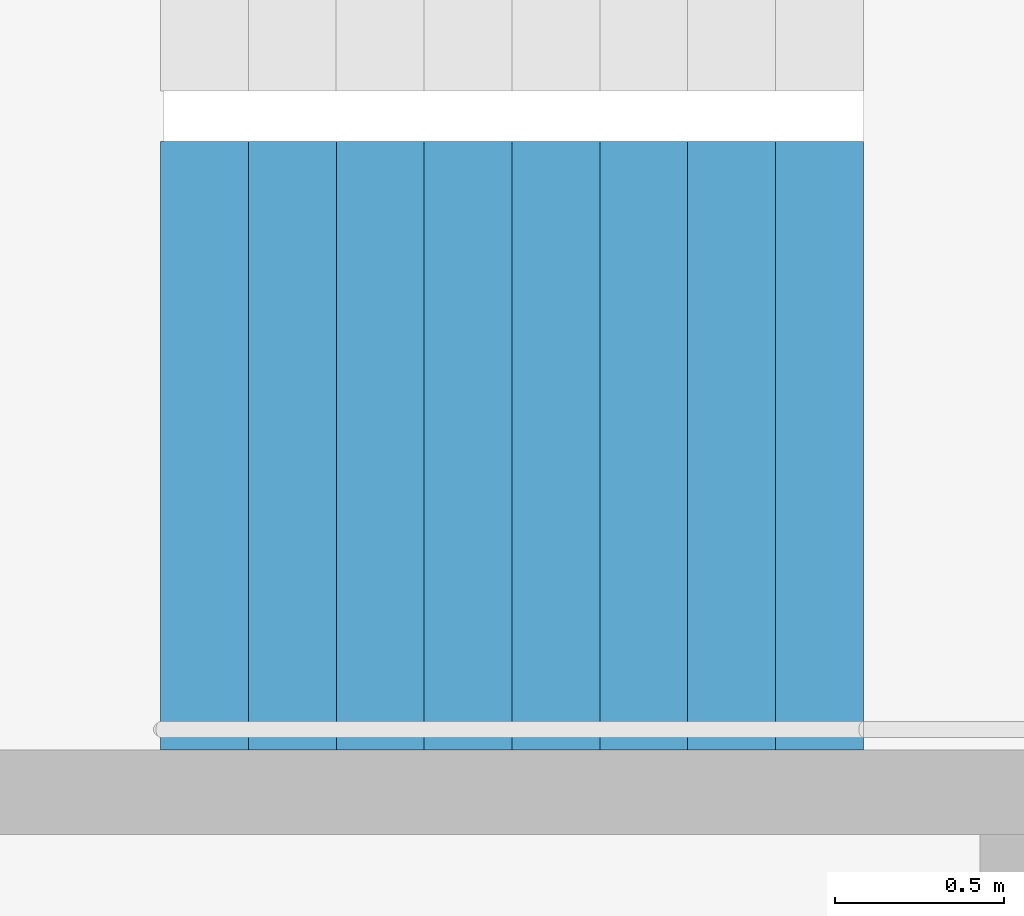
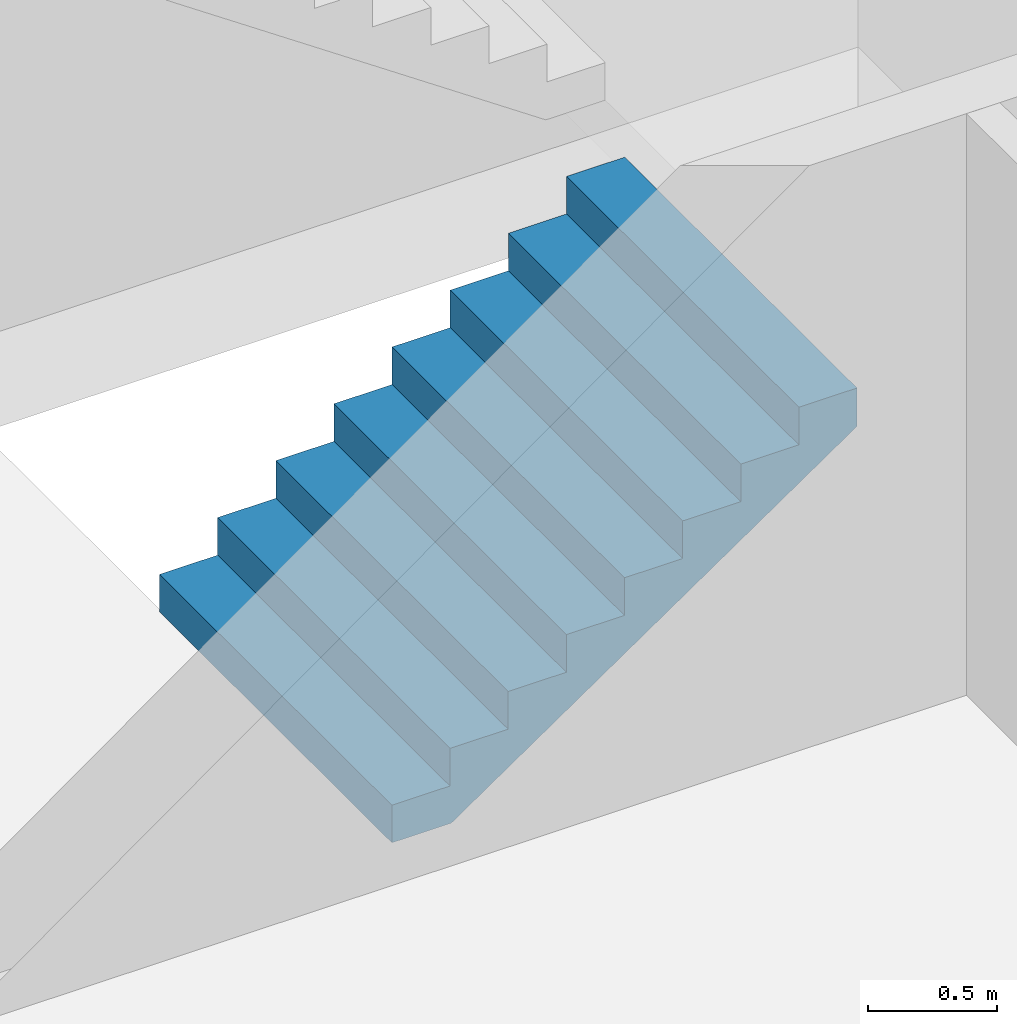
# One storey, part 21 of 27: 1 stair flight, 1 element without a shape of its own.
"""IFC4 building model written with IfcOpenShell, lengths in metres."""

from ifc_helpers import new_model, si_unit, direction, frame, origin, place, context, subcontext, project, spatial, triangles, material, type_object, element, aggregate, save


model = new_model("IFC4")

# Units and contexts
model_context = context("Model", 3, precision=1e-05, world=origin(), true_north=direction((0.0, 1.0)))
body_context = subcontext(model_context, "Body", "Model", "MODEL_VIEW")
ifc_project = project(units=[si_unit("LENGTHUNIT", "METRE"), si_unit("AREAUNIT", "SQUARE_METRE"), si_unit("VOLUMEUNIT", "CUBIC_METRE"), si_unit("PLANEANGLEUNIT", "RADIAN"), si_unit("MASSUNIT", "GRAM", prefix="KILO")], contexts=[model_context])

# Site, building, storey
site_placement = place(None, origin())
site = spatial("IfcSite", under=ifc_project, at=site_placement, CompositionType="ELEMENT")
building_placement = place(site_placement, origin())
building = spatial("IfcBuilding", under=site, at=building_placement, Name="Hakoniwa Tower and Hamabe Station Hall", CompositionType="ELEMENT")
storey_placement = place(building_placement, frame((0.0, 0.0, 239.0)))
storey = spatial("IfcBuildingStorey", under=building, at=storey_placement, Name="L67", CompositionType="ELEMENT", Elevation=239.0)

# Stair, stair flight
ifc_material_1 = material(Name="Concrete C40", Category="concrete")
stair_type = type_object("IfcStairType", Name="ESCAPE STAIR 1800", PredefinedType="HALF_TURN_STAIR", material=ifc_material_1)
stair_placement = place(storey_placement, origin())
stair = element("IfcStair", 1, at=stair_placement, inside=storey, type_object=stair_type, Name="Escape stair ST-1 L67", PredefinedType="HALF_TURN_STAIR")
ifc_material_2 = material(Name="Concrete C40", Category="concrete")
stair_flight_type = type_object("IfcStairFlightType", Name="STAIR FLIGHT 1800", PredefinedType="STRAIGHT", material=ifc_material_2)
stair_flight_placement = place(storey_placement, frame((-24.39990234375, 4.64990234375, 0.0), z_axis=(0.0, 0.0, 1.0), x_axis=(1.0, 0.0, 0.0)))
stair_flight = element("IfcStairFlight", 2, at=stair_flight_placement, type_object=stair_flight_type, Name="ST-1 flight 1", NumberOfRisers=9, NumberOfTreads=8, PredefinedType="STRAIGHT", RiserHeight=0.177777778, TreadLength=0.26, context=body_context, shape_type="Tessellation", body=[
    triangles([(0.0, 0.89990234375, 0.0), (0.260009765625, 0.89990234375, 0.0), (0.265625, 0.89990234375, 0.0), (0.52001953125, 0.89990234375, 0.174072265625), (0.780029296875, 0.89990234375, 0.351806640625), (1.0400390625, 0.89990234375, 0.529541015625), (1.300048828125, 0.89990234375, 0.707275390625), (1.56005859375, 0.89990234375, 0.885009765625), (1.820068359375, 0.89990234375, 1.062744140625), (2.080078125, 0.89990234375, 1.24072265625), (2.080078125, 0.89990234375, 1.422119140625), (1.820068359375, 0.89990234375, 1.422119140625), (1.820068359375, 0.89990234375, 1.244384765625), (1.56005859375, 0.89990234375, 1.244384765625), (1.56005859375, 0.89990234375, 1.066650390625), (1.300048828125, 0.89990234375, 1.066650390625), (1.300048828125, 0.89990234375, 0.888916015625), (1.0400390625, 0.89990234375, 0.888916015625), (1.0400390625, 0.89990234375, 0.711181640625), (0.780029296875, 0.89990234375, 0.711181640625), (0.780029296875, 0.89990234375, 0.533447265625), (0.52001953125, 0.89990234375, 0.533447265625), (0.52001953125, 0.89990234375, 0.35546875), (0.265625, 0.89990234375, 0.35546875), (0.260009765625, 0.89990234375, 0.35546875), (0.260009765625, 0.89990234375, 0.177734375), (0.0, 0.89990234375, 0.177734375), (0.0, 0.06005859375, 0.0), (0.260009765625, 0.06005859375, 0.0), (0.265625, 0.06005859375, 0.0), (0.52001953125, 0.06005859375, 0.174072265625), (0.780029296875, 0.06005859375, 0.351806640625), (1.0400390625, 0.06005859375, 0.529541015625), (1.300048828125, 0.06005859375, 0.707275390625), (1.56005859375, 0.06005859375, 0.885009765625), (1.820068359375, 0.06005859375, 1.062744140625), (2.080078125, 0.06005859375, 1.24072265625), (2.080078125, 0.06005859375, 1.422119140625), (1.820068359375, 0.06005859375, 1.422119140625), (1.820068359375, 0.06005859375, 1.244384765625), (1.56005859375, 0.06005859375, 1.244384765625), (1.56005859375, 0.06005859375, 1.066650390625), (1.300048828125, 0.06005859375, 1.066650390625), (1.300048828125, 0.06005859375, 0.888916015625), (1.0400390625, 0.06005859375, 0.888916015625), (1.0400390625, 0.06005859375, 0.711181640625), (0.780029296875, 0.06005859375, 0.711181640625), (0.780029296875, 0.06005859375, 0.533447265625), (0.52001953125, 0.06005859375, 0.533447265625), (0.52001953125, 0.06005859375, 0.35546875), (0.265625, 0.06005859375, 0.35546875), (0.260009765625, 0.06005859375, 0.35546875), (0.260009765625, 0.06005859375, 0.177734375), (0.0, 0.06005859375, 0.177734375), (0.0, 0.04296875, 0.0), (0.260009765625, 0.04296875, 0.0), (0.265625, 0.04296875, 0.0), (0.52001953125, 0.04296875, 0.174072265625), (0.780029296875, 0.04296875, 0.351806640625), (1.0400390625, 0.04296875, 0.529541015625), (1.300048828125, 0.04296875, 0.707275390625), (1.56005859375, 0.04296875, 0.885009765625), (1.820068359375, 0.04296875, 1.062744140625), (2.080078125, 0.04296875, 1.24072265625), (2.080078125, 0.04296875, 1.422119140625), (1.820068359375, 0.04296875, 1.422119140625), (1.820068359375, 0.04296875, 1.244384765625), (1.56005859375, 0.04296875, 1.244384765625), (1.56005859375, 0.04296875, 1.066650390625), (1.300048828125, 0.04296875, 1.066650390625), (1.300048828125, 0.04296875, 0.888916015625), (1.0400390625, 0.04296875, 0.888916015625), (1.0400390625, 0.04296875, 0.711181640625), (0.780029296875, 0.04296875, 0.711181640625), (0.780029296875, 0.04296875, 0.533447265625), (0.52001953125, 0.04296875, 0.533447265625), (0.52001953125, 0.04296875, 0.35546875), (0.265625, 0.04296875, 0.35546875), (0.260009765625, 0.04296875, 0.35546875), (0.260009765625, 0.04296875, 0.177734375), (0.0, 0.04296875, 0.177734375), (0.0, 0.025634765625, 0.0), (0.260009765625, 0.025634765625, 0.0), (0.265625, 0.025634765625, 0.0), (0.52001953125, 0.025634765625, 0.174072265625), (0.780029296875, 0.025634765625, 0.351806640625), (1.0400390625, 0.025634765625, 0.529541015625), (1.300048828125, 0.025634765625, 0.707275390625), (1.56005859375, 0.025634765625, 0.885009765625), (1.820068359375, 0.025634765625, 1.062744140625), (2.080078125, 0.025634765625, 1.24072265625), (2.080078125, 0.025634765625, 1.422119140625), (1.820068359375, 0.025634765625, 1.422119140625), (1.820068359375, 0.025634765625, 1.244384765625), (1.56005859375, 0.025634765625, 1.244384765625), (1.56005859375, 0.025634765625, 1.066650390625), (1.300048828125, 0.025634765625, 1.066650390625), (1.300048828125, 0.025634765625, 0.888916015625), (1.0400390625, 0.025634765625, 0.888916015625), (1.0400390625, 0.025634765625, 0.711181640625), (0.780029296875, 0.025634765625, 0.711181640625), (0.780029296875, 0.025634765625, 0.533447265625), (0.52001953125, 0.025634765625, 0.533447265625), (0.52001953125, 0.025634765625, 0.35546875), (0.265625, 0.025634765625, 0.35546875), (0.260009765625, 0.025634765625, 0.35546875), (0.260009765625, 0.025634765625, 0.177734375), (0.0, 0.025634765625, 0.177734375), (0.0, 0.008544921875, 0.0), (0.260009765625, 0.008544921875, 0.0), (0.265625, 0.008544921875, 0.0), (0.52001953125, 0.008544921875, 0.174072265625), (0.780029296875, 0.008544921875, 0.351806640625), (1.0400390625, 0.008544921875, 0.529541015625), (1.300048828125, 0.008544921875, 0.707275390625), (1.56005859375, 0.008544921875, 0.885009765625), (1.820068359375, 0.008544921875, 1.062744140625), (2.080078125, 0.008544921875, 1.24072265625), (2.080078125, 0.008544921875, 1.422119140625), (1.820068359375, 0.008544921875, 1.422119140625), (1.820068359375, 0.008544921875, 1.244384765625), (1.56005859375, 0.008544921875, 1.244384765625), (1.56005859375, 0.008544921875, 1.066650390625), (1.300048828125, 0.008544921875, 1.066650390625), (1.300048828125, 0.008544921875, 0.888916015625), (1.0400390625, 0.008544921875, 0.888916015625), (1.0400390625, 0.008544921875, 0.711181640625), (0.780029296875, 0.008544921875, 0.711181640625), (0.780029296875, 0.008544921875, 0.533447265625), (0.52001953125, 0.008544921875, 0.533447265625), (0.52001953125, 0.008544921875, 0.35546875), (0.265625, 0.008544921875, 0.35546875), (0.260009765625, 0.008544921875, 0.35546875), (0.260009765625, 0.008544921875, 0.177734375), (0.0, 0.008544921875, 0.177734375), (0.0, -0.008544921875, 0.0), (0.260009765625, -0.008544921875, 0.0), (0.265625, -0.008544921875, 0.0), (0.52001953125, -0.008544921875, 0.174072265625), (0.780029296875, -0.008544921875, 0.351806640625), (1.0400390625, -0.008544921875, 0.529541015625), (1.300048828125, -0.008544921875, 0.707275390625), (1.56005859375, -0.008544921875, 0.885009765625), (1.820068359375, -0.008544921875, 1.062744140625), (2.080078125, -0.008544921875, 1.24072265625), (2.080078125, -0.008544921875, 1.422119140625), (1.820068359375, -0.008544921875, 1.422119140625), (1.820068359375, -0.008544921875, 1.244384765625), (1.56005859375, -0.008544921875, 1.244384765625), (1.56005859375, -0.008544921875, 1.066650390625), (1.300048828125, -0.008544921875, 1.066650390625), (1.300048828125, -0.008544921875, 0.888916015625), (1.0400390625, -0.008544921875, 0.888916015625), (1.0400390625, -0.008544921875, 0.711181640625), (0.780029296875, -0.008544921875, 0.711181640625), (0.780029296875, -0.008544921875, 0.533447265625), (0.52001953125, -0.008544921875, 0.533447265625), (0.52001953125, -0.008544921875, 0.35546875), (0.265625, -0.008544921875, 0.35546875), (0.260009765625, -0.008544921875, 0.35546875), (0.260009765625, -0.008544921875, 0.177734375), (0.0, -0.008544921875, 0.177734375), (0.0, -0.025634765625, 0.0), (0.260009765625, -0.025634765625, 0.0), (0.265625, -0.025634765625, 0.0), (0.52001953125, -0.025634765625, 0.174072265625), (0.780029296875, -0.025634765625, 0.351806640625), (1.0400390625, -0.025634765625, 0.529541015625), (1.300048828125, -0.025634765625, 0.707275390625), (1.56005859375, -0.025634765625, 0.885009765625), (1.820068359375, -0.025634765625, 1.062744140625), (2.080078125, -0.025634765625, 1.24072265625), (2.080078125, -0.025634765625, 1.422119140625), (1.820068359375, -0.025634765625, 1.422119140625), (1.820068359375, -0.025634765625, 1.244384765625), (1.56005859375, -0.025634765625, 1.244384765625), (1.56005859375, -0.025634765625, 1.066650390625), (1.300048828125, -0.025634765625, 1.066650390625), (1.300048828125, -0.025634765625, 0.888916015625), (1.0400390625, -0.025634765625, 0.888916015625), (1.0400390625, -0.025634765625, 0.711181640625), (0.780029296875, -0.025634765625, 0.711181640625), (0.780029296875, -0.025634765625, 0.533447265625), (0.52001953125, -0.025634765625, 0.533447265625), (0.52001953125, -0.025634765625, 0.35546875), (0.265625, -0.025634765625, 0.35546875), (0.260009765625, -0.025634765625, 0.35546875), (0.260009765625, -0.025634765625, 0.177734375), (0.0, -0.025634765625, 0.177734375), (0.0, -0.04296875, 0.0), (0.260009765625, -0.04296875, 0.0), (0.265625, -0.04296875, 0.0), (0.52001953125, -0.04296875, 0.174072265625), (0.780029296875, -0.04296875, 0.351806640625), (1.0400390625, -0.04296875, 0.529541015625), (1.300048828125, -0.04296875, 0.707275390625), (1.56005859375, -0.04296875, 0.885009765625), (1.820068359375, -0.04296875, 1.062744140625), (2.080078125, -0.04296875, 1.24072265625), (2.080078125, -0.04296875, 1.422119140625), (1.820068359375, -0.04296875, 1.422119140625), (1.820068359375, -0.04296875, 1.244384765625), (1.56005859375, -0.04296875, 1.244384765625), (1.56005859375, -0.04296875, 1.066650390625), (1.300048828125, -0.04296875, 1.066650390625), (1.300048828125, -0.04296875, 0.888916015625), (1.0400390625, -0.04296875, 0.888916015625), (1.0400390625, -0.04296875, 0.711181640625), (0.780029296875, -0.04296875, 0.711181640625), (0.780029296875, -0.04296875, 0.533447265625), (0.52001953125, -0.04296875, 0.533447265625), (0.52001953125, -0.04296875, 0.35546875), (0.265625, -0.04296875, 0.35546875), (0.260009765625, -0.04296875, 0.35546875), (0.260009765625, -0.04296875, 0.177734375), (0.0, -0.04296875, 0.177734375), (0.0, -0.06005859375, 0.0), (0.260009765625, -0.06005859375, 0.0), (0.265625, -0.06005859375, 0.0), (0.52001953125, -0.06005859375, 0.174072265625), (0.780029296875, -0.06005859375, 0.351806640625), (1.0400390625, -0.06005859375, 0.529541015625), (1.300048828125, -0.06005859375, 0.707275390625), (1.56005859375, -0.06005859375, 0.885009765625), (1.820068359375, -0.06005859375, 1.062744140625), (2.080078125, -0.06005859375, 1.24072265625), (2.080078125, -0.06005859375, 1.422119140625), (1.820068359375, -0.06005859375, 1.422119140625), (1.820068359375, -0.06005859375, 1.244384765625), (1.56005859375, -0.06005859375, 1.244384765625), (1.56005859375, -0.06005859375, 1.066650390625), (1.300048828125, -0.06005859375, 1.066650390625), (1.300048828125, -0.06005859375, 0.888916015625), (1.0400390625, -0.06005859375, 0.888916015625), (1.0400390625, -0.06005859375, 0.711181640625), (0.780029296875, -0.06005859375, 0.711181640625), (0.780029296875, -0.06005859375, 0.533447265625), (0.52001953125, -0.06005859375, 0.533447265625), (0.52001953125, -0.06005859375, 0.35546875), (0.265625, -0.06005859375, 0.35546875), (0.260009765625, -0.06005859375, 0.35546875), (0.260009765625, -0.06005859375, 0.177734375), (0.0, -0.06005859375, 0.177734375), (0.0, -0.89990234375, 0.0), (0.260009765625, -0.89990234375, 0.0), (0.265625, -0.89990234375, 0.0), (0.52001953125, -0.89990234375, 0.174072265625), (0.780029296875, -0.89990234375, 0.351806640625), (1.0400390625, -0.89990234375, 0.529541015625), (1.300048828125, -0.89990234375, 0.707275390625), (1.56005859375, -0.89990234375, 0.885009765625), (1.820068359375, -0.89990234375, 1.062744140625), (2.080078125, -0.89990234375, 1.24072265625), (2.080078125, -0.89990234375, 1.422119140625), (1.820068359375, -0.89990234375, 1.422119140625), (1.820068359375, -0.89990234375, 1.244384765625), (1.56005859375, -0.89990234375, 1.244384765625), (1.56005859375, -0.89990234375, 1.066650390625), (1.300048828125, -0.89990234375, 1.066650390625), (1.300048828125, -0.89990234375, 0.888916015625), (1.0400390625, -0.89990234375, 0.888916015625), (1.0400390625, -0.89990234375, 0.711181640625), (0.780029296875, -0.89990234375, 0.711181640625), (0.780029296875, -0.89990234375, 0.533447265625), (0.52001953125, -0.89990234375, 0.533447265625), (0.52001953125, -0.89990234375, 0.35546875), (0.265625, -0.89990234375, 0.35546875), (0.260009765625, -0.89990234375, 0.35546875), (0.260009765625, -0.89990234375, 0.177734375), (0.0, -0.89990234375, 0.177734375)], [[2, 27, 26], [245, 269, 270], [2, 1, 27], [245, 270, 244], [3, 25, 24], [246, 267, 268], [3, 26, 25], [246, 268, 269], [3, 2, 26], [246, 269, 245], [4, 24, 23], [247, 266, 267], [4, 3, 24], [247, 267, 246], [5, 22, 21], [248, 264, 265], [5, 23, 22], [248, 265, 266], [5, 4, 23], [248, 266, 247], [6, 20, 19], [249, 262, 263], [6, 21, 20], [249, 263, 264], [6, 5, 21], [249, 264, 248], [7, 18, 17], [250, 260, 261], [7, 19, 18], [250, 261, 262], [7, 6, 19], [250, 262, 249], [8, 16, 15], [251, 258, 259], [8, 17, 16], [251, 259, 260], [8, 7, 17], [251, 260, 250], [9, 14, 13], [252, 256, 257], [9, 15, 14], [252, 257, 258], [9, 8, 15], [252, 258, 251], [10, 12, 11], [253, 254, 255], [10, 13, 12], [253, 255, 256], [10, 9, 13], [253, 256, 252], [1, 2, 29], [1, 29, 28], [28, 29, 56], [28, 56, 55], [55, 56, 83], [55, 83, 82], [82, 83, 110], [82, 110, 109], [109, 110, 137], [109, 137, 136], [136, 137, 164], [136, 164, 163], [163, 164, 191], [163, 191, 190], [190, 191, 218], [190, 218, 217], [217, 218, 245], [217, 245, 244], [2, 3, 30], [2, 30, 29], [29, 30, 57], [29, 57, 56], [56, 57, 84], [56, 84, 83], [83, 84, 111], [83, 111, 110], [110, 111, 138], [110, 138, 137], [137, 138, 165], [137, 165, 164], [164, 165, 192], [164, 192, 191], [191, 192, 219], [191, 219, 218], [218, 219, 246], [218, 246, 245], [3, 4, 31], [3, 31, 30], [30, 31, 58], [30, 58, 57], [57, 58, 85], [57, 85, 84], [84, 85, 112], [84, 112, 111], [111, 112, 139], [111, 139, 138], [138, 139, 166], [138, 166, 165], [165, 166, 193], [165, 193, 192], [192, 193, 220], [192, 220, 219], [219, 220, 247], [219, 247, 246], [4, 5, 32], [4, 32, 31], [31, 32, 59], [31, 59, 58], [58, 59, 86], [58, 86, 85], [85, 86, 113], [85, 113, 112], [112, 113, 140], [112, 140, 139], [139, 140, 167], [139, 167, 166], [166, 167, 194], [166, 194, 193], [193, 194, 221], [193, 221, 220], [220, 221, 248], [220, 248, 247], [5, 6, 33], [5, 33, 32], [32, 33, 60], [32, 60, 59], [59, 60, 87], [59, 87, 86], [86, 87, 114], [86, 114, 113], [113, 114, 141], [113, 141, 140], [140, 141, 168], [140, 168, 167], [167, 168, 195], [167, 195, 194], [194, 195, 222], [194, 222, 221], [221, 222, 249], [221, 249, 248], [6, 7, 34], [6, 34, 33], [33, 34, 61], [33, 61, 60], [60, 61, 88], [60, 88, 87], [87, 88, 115], [87, 115, 114], [114, 115, 142], [114, 142, 141], [141, 142, 169], [141, 169, 168], [168, 169, 196], [168, 196, 195], [195, 196, 223], [195, 223, 222], [222, 223, 250], [222, 250, 249], [7, 8, 35], [7, 35, 34], [34, 35, 62], [34, 62, 61], [61, 62, 89], [61, 89, 88], [88, 89, 116], [88, 116, 115], [115, 116, 143], [115, 143, 142], [142, 143, 170], [142, 170, 169], [169, 170, 197], [169, 197, 196], [196, 197, 224], [196, 224, 223], [223, 224, 251], [223, 251, 250], [8, 9, 36], [8, 36, 35], [35, 36, 63], [35, 63, 62], [62, 63, 90], [62, 90, 89], [89, 90, 117], [89, 117, 116], [116, 117, 144], [116, 144, 143], [143, 144, 171], [143, 171, 170], [170, 171, 198], [170, 198, 197], [197, 198, 225], [197, 225, 224], [224, 225, 252], [224, 252, 251], [9, 10, 37], [9, 37, 36], [36, 37, 64], [36, 64, 63], [63, 64, 91], [63, 91, 90], [90, 91, 118], [90, 118, 117], [117, 118, 145], [117, 145, 144], [144, 145, 172], [144, 172, 171], [171, 172, 199], [171, 199, 198], [198, 199, 226], [198, 226, 225], [225, 226, 253], [225, 253, 252], [10, 11, 38], [10, 38, 37], [37, 38, 65], [37, 65, 64], [64, 65, 92], [64, 92, 91], [91, 92, 119], [91, 119, 118], [118, 119, 146], [118, 146, 145], [145, 146, 173], [145, 173, 172], [172, 173, 200], [172, 200, 199], [199, 200, 227], [199, 227, 226], [226, 227, 254], [226, 254, 253], [11, 12, 39], [11, 39, 38], [38, 39, 66], [38, 66, 65], [65, 66, 93], [65, 93, 92], [92, 93, 120], [92, 120, 119], [119, 120, 147], [119, 147, 146], [146, 147, 174], [146, 174, 173], [173, 174, 201], [173, 201, 200], [200, 201, 228], [200, 228, 227], [227, 228, 255], [227, 255, 254], [12, 13, 40], [12, 40, 39], [39, 40, 67], [39, 67, 66], [66, 67, 94], [66, 94, 93], [93, 94, 121], [93, 121, 120], [120, 121, 148], [120, 148, 147], [147, 148, 175], [147, 175, 174], [174, 175, 202], [174, 202, 201], [201, 202, 229], [201, 229, 228], [228, 229, 256], [228, 256, 255], [13, 14, 41], [13, 41, 40], [40, 41, 68], [40, 68, 67], [67, 68, 95], [67, 95, 94], [94, 95, 122], [94, 122, 121], [121, 122, 149], [121, 149, 148], [148, 149, 176], [148, 176, 175], [175, 176, 203], [175, 203, 202], [202, 203, 230], [202, 230, 229], [229, 230, 257], [229, 257, 256], [14, 15, 42], [14, 42, 41], [41, 42, 69], [41, 69, 68], [68, 69, 96], [68, 96, 95], [95, 96, 123], [95, 123, 122], [122, 123, 150], [122, 150, 149], [149, 150, 177], [149, 177, 176], [176, 177, 204], [176, 204, 203], [203, 204, 231], [203, 231, 230], [230, 231, 258], [230, 258, 257], [15, 16, 43], [15, 43, 42], [42, 43, 70], [42, 70, 69], [69, 70, 97], [69, 97, 96], [96, 97, 124], [96, 124, 123], [123, 124, 151], [123, 151, 150], [150, 151, 178], [150, 178, 177], [177, 178, 205], [177, 205, 204], [204, 205, 232], [204, 232, 231], [231, 232, 259], [231, 259, 258], [16, 17, 44], [16, 44, 43], [43, 44, 71], [43, 71, 70], [70, 71, 98], [70, 98, 97], [97, 98, 125], [97, 125, 124], [124, 125, 152], [124, 152, 151], [151, 152, 179], [151, 179, 178], [178, 179, 206], [178, 206, 205], [205, 206, 233], [205, 233, 232], [232, 233, 260], [232, 260, 259], [17, 18, 45], [17, 45, 44], [44, 45, 72], [44, 72, 71], [71, 72, 99], [71, 99, 98], [98, 99, 126], [98, 126, 125], [125, 126, 153], [125, 153, 152], [152, 153, 180], [152, 180, 179], [179, 180, 207], [179, 207, 206], [206, 207, 234], [206, 234, 233], [233, 234, 261], [233, 261, 260], [18, 19, 46], [18, 46, 45], [45, 46, 73], [45, 73, 72], [72, 73, 100], [72, 100, 99], [99, 100, 127], [99, 127, 126], [126, 127, 154], [126, 154, 153], [153, 154, 181], [153, 181, 180], [180, 181, 208], [180, 208, 207], [207, 208, 235], [207, 235, 234], [234, 235, 262], [234, 262, 261], [19, 20, 47], [19, 47, 46], [46, 47, 74], [46, 74, 73], [73, 74, 101], [73, 101, 100], [100, 101, 128], [100, 128, 127], [127, 128, 155], [127, 155, 154], [154, 155, 182], [154, 182, 181], [181, 182, 209], [181, 209, 208], [208, 209, 236], [208, 236, 235], [235, 236, 263], [235, 263, 262], [20, 21, 48], [20, 48, 47], [47, 48, 75], [47, 75, 74], [74, 75, 102], [74, 102, 101], [101, 102, 129], [101, 129, 128], [128, 129, 156], [128, 156, 155], [155, 156, 183], [155, 183, 182], [182, 183, 210], [182, 210, 209], [209, 210, 237], [209, 237, 236], [236, 237, 264], [236, 264, 263], [21, 22, 49], [21, 49, 48], [48, 49, 76], [48, 76, 75], [75, 76, 103], [75, 103, 102], [102, 103, 130], [102, 130, 129], [129, 130, 157], [129, 157, 156], [156, 157, 184], [156, 184, 183], [183, 184, 211], [183, 211, 210], [210, 211, 238], [210, 238, 237], [237, 238, 265], [237, 265, 264], [22, 23, 50], [22, 50, 49], [49, 50, 77], [49, 77, 76], [76, 77, 104], [76, 104, 103], [103, 104, 131], [103, 131, 130], [130, 131, 158], [130, 158, 157], [157, 158, 185], [157, 185, 184], [184, 185, 212], [184, 212, 211], [211, 212, 239], [211, 239, 238], [238, 239, 266], [238, 266, 265], [23, 24, 51], [23, 51, 50], [50, 51, 78], [50, 78, 77], [77, 78, 105], [77, 105, 104], [104, 105, 132], [104, 132, 131], [131, 132, 159], [131, 159, 158], [158, 159, 186], [158, 186, 185], [185, 186, 213], [185, 213, 212], [212, 213, 240], [212, 240, 239], [239, 240, 267], [239, 267, 266], [24, 25, 52], [24, 52, 51], [51, 52, 79], [51, 79, 78], [78, 79, 106], [78, 106, 105], [105, 106, 133], [105, 133, 132], [132, 133, 160], [132, 160, 159], [159, 160, 187], [159, 187, 186], [186, 187, 214], [186, 214, 213], [213, 214, 241], [213, 241, 240], [240, 241, 268], [240, 268, 267], [25, 26, 53], [25, 53, 52], [52, 53, 80], [52, 80, 79], [79, 80, 107], [79, 107, 106], [106, 107, 134], [106, 134, 133], [133, 134, 161], [133, 161, 160], [160, 161, 188], [160, 188, 187], [187, 188, 215], [187, 215, 214], [214, 215, 242], [214, 242, 241], [241, 242, 269], [241, 269, 268], [26, 27, 54], [26, 54, 53], [53, 54, 81], [53, 81, 80], [80, 81, 108], [80, 108, 107], [107, 108, 135], [107, 135, 134], [134, 135, 162], [134, 162, 161], [161, 162, 189], [161, 189, 188], [188, 189, 216], [188, 216, 215], [215, 216, 243], [215, 243, 242], [242, 243, 270], [242, 270, 269], [27, 1, 28], [27, 28, 54], [54, 28, 55], [54, 55, 81], [81, 55, 82], [81, 82, 108], [108, 82, 109], [108, 109, 135], [135, 109, 136], [135, 136, 162], [162, 136, 163], [162, 163, 189], [189, 163, 190], [189, 190, 216], [216, 190, 217], [216, 217, 243], [243, 217, 244], [243, 244, 270]], closed=True),
])
aggregate(stair, [stair_flight])

save(model, "model.ifc")
